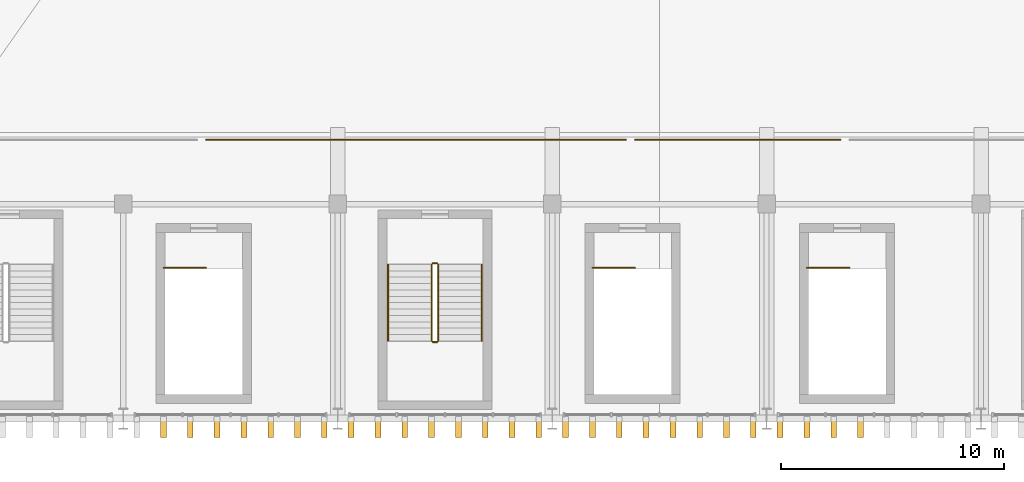
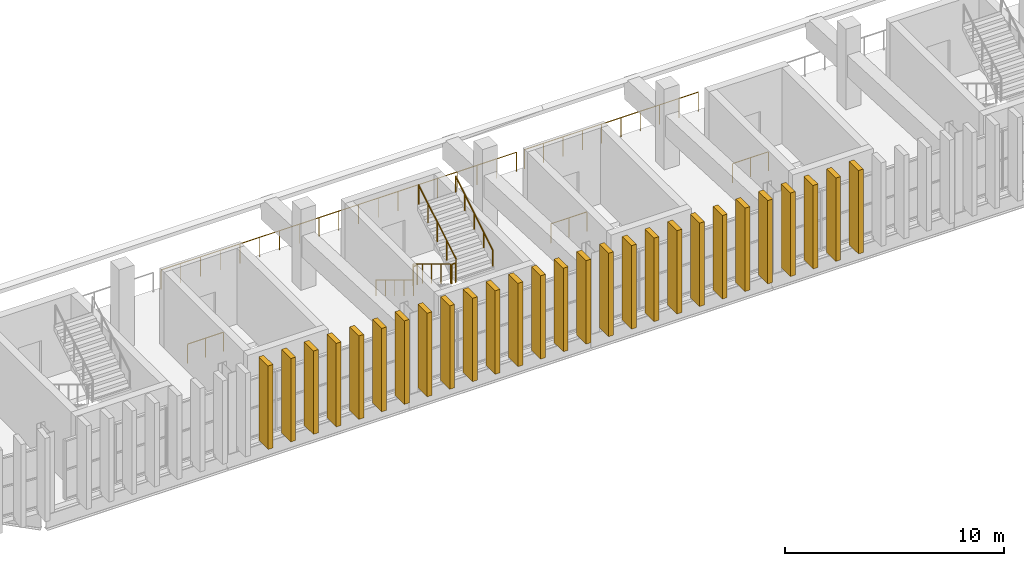
# One storey, part 56 of 69: 27 coverings, 11 railings.
"""IFC4 building model written with IfcOpenShell, lengths in metres."""

from ifc_helpers import new_model, si_unit, direction, frame, origin, origin_2d, place, context, subcontext, project, spatial, rectangle, circle, extrude, material, material_profile, profile_set, type_object, element, save


model = new_model("IFC4")

# Units and contexts
model_context = context("Model", 3, precision=1e-05, world=origin(), true_north=direction((0.0, 1.0)))
body_context = subcontext(model_context, "Body", "Model", "MODEL_VIEW")
ifc_project = project(units=[si_unit("LENGTHUNIT", "METRE"), si_unit("AREAUNIT", "SQUARE_METRE"), si_unit("VOLUMEUNIT", "CUBIC_METRE"), si_unit("PLANEANGLEUNIT", "RADIAN"), si_unit("MASSUNIT", "GRAM", prefix="KILO")], contexts=[model_context])

# Site, building, storey
site_placement = place(None, origin())
site = spatial("IfcSite", under=ifc_project, at=site_placement, CompositionType="ELEMENT")
building_placement = place(site_placement, origin())
building = spatial("IfcBuilding", under=site, at=building_placement, Name="Caelomonte Colonnade Arena", CompositionType="ELEMENT")
storey_placement = place(building_placement, frame((0.0, 0.0, 18.60009765625)))
storey = spatial("IfcBuildingStorey", under=building, at=storey_placement, Name="L04", CompositionType="ELEMENT", Elevation=18.60009765625)

# Coverings
ifc_material_1 = material(Name="Precast travertine cladding", Category="masonry")
ifc_material_profile = material_profile(ifc_material_1, rectangle(XDim=0.260009765625, YDim=0.85009765625, at=origin_2d()), Name="FIN260X850")
ifc_profile_set = profile_set([ifc_material_profile], Name="Precast travertine cladding")
covering_type = type_object("IfcCoveringType", Name="ENV-FN-SHAFT", PredefinedType="CLADDING", material=ifc_profile_set)
for number, where, z_axis, x_axis, name in (
    (1, (88.199951171875, 18.779052734375, -0.16015625), (0.0, 0.0, 1.0), (-1.0, 0.0, 0.0), "V1 L04 classical travertine vertical fin 247"),
    (2, (89.39990234375, 18.779052734375, -0.16015625), (0.0, 0.0, 1.0), (-1.0, 0.0, 0.0), "V1 L04 classical travertine vertical fin 248"),
    (3, (90.60009765625, 18.779052734375, -0.16015625), (0.0, 0.0, 1.0), (-1.0, 0.0, 0.0), "V1 L04 classical travertine vertical fin 249"),
    (4, (91.800048828125, 18.779052734375, -0.16015625), (0.0, 0.0, 1.0), (-1.0, 0.0, 0.0), "V1 L04 classical travertine vertical fin 250"),
    (5, (93.0, 18.779052734375, -0.16015625), (0.0, 0.0, 1.0), (-1.0, 0.0, 0.0), "V1 L04 classical travertine vertical fin 251"),
    (6, (94.199951171875, 18.779052734375, -0.16015625), (0.0, 0.0, 1.0), (-1.0, 0.0, 0.0), "V1 L04 classical travertine vertical fin 252"),
    (7, (95.39990234375, 18.779052734375, -0.16015625), (0.0, 0.0, 1.0), (-1.0, 0.0, 0.0), "V1 L04 classical travertine vertical fin 253"),
    (8, (96.60009765625, 18.779052734375, -0.16015625), (0.0, 0.0, 1.0), (-1.0, 0.0, 0.0), "V1 L04 classical travertine vertical fin 254"),
    (9, (97.800048828125, 18.779052734375, -0.16015625), (0.0, 0.0, 1.0), (-1.0, 0.0, 0.0), "V1 L04 classical travertine vertical fin 255"),
    (10, (99.0, 18.779052734375, -0.16015625), (0.0, 0.0, 1.0), (-1.0, 0.0, 0.0), "V1 L04 classical travertine vertical fin 256"),
    (11, (100.199951171875, 18.779052734375, -0.16015625), (0.0, 0.0, 1.0), (-1.0, 0.0, 0.0), "V1 L04 classical travertine vertical fin 257"),
    (12, (101.39990234375, 18.779052734375, -0.16015625), (0.0, 0.0, 1.0), (-1.0, 0.0, 0.0), "V1 L04 classical travertine vertical fin 258"),
    (13, (102.60009765625, 18.779052734375, -0.16015625), (0.0, 0.0, 1.0), (-1.0, 0.0, 0.0), "V1 L04 classical travertine vertical fin 259"),
    (14, (103.800048828125, 18.779052734375, -0.16015625), (0.0, 0.0, 1.0), (-1.0, 0.0, 0.0), "V1 L04 classical travertine vertical fin 260"),
    (15, (105.0, 18.779052734375, -0.16015625), (0.0, 0.0, 1.0), (-1.0, 0.0, 0.0), "V1 L04 classical travertine vertical fin 261"),
    (16, (106.199951171875, 18.779052734375, -0.16015625), (0.0, 0.0, 1.0), (-1.0, 0.0, 0.0), "V1 L04 classical travertine vertical fin 262"),
    (17, (107.39990234375, 18.779052734375, -0.16015625), (0.0, 0.0, 1.0), (-1.0, 0.0, 0.0), "V1 L04 classical travertine vertical fin 263"),
    (18, (108.60009765625, 18.779052734375, -0.16015625), (0.0, 0.0, 1.0), (-1.0, 0.0, 0.0), "V1 L04 classical travertine vertical fin 264"),
    (19, (109.800048828125, 18.779052734375, -0.16015625), (0.0, 0.0, 1.0), (-1.0, 0.0, 0.0), "V1 L04 classical travertine vertical fin 265"),
    (20, (111.0, 18.779052734375, -0.16015625), (0.0, 0.0, 1.0), (-1.0, 0.0, 0.0), "V1 L04 classical travertine vertical fin 266"),
    (21, (112.199951171875, 18.779052734375, -0.16015625), (0.0, 0.0, 1.0), (-1.0, 0.0, 0.0), "V1 L04 classical travertine vertical fin 267"),
    (22, (113.39990234375, 18.779052734375, -0.16015625), (0.0, 0.0, 1.0), (-1.0, 0.0, 0.0), "V1 L04 classical travertine vertical fin 268"),
    (23, (114.60009765625, 18.779052734375, -0.16015625), (0.0, 0.0, 1.0), (-1.0, 0.0, 0.0), "V1 L04 classical travertine vertical fin 269"),
    (24, (115.800048828125, 18.779052734375, -0.16015625), (0.0, 0.0, 1.0), (-1.0, 0.0, 0.0), "V1 L04 classical travertine vertical fin 270"),
    (25, (117.0, 18.779052734375, -0.16015625), (0.0, 0.0, 1.0), (-1.0, 0.0, 0.0), "V1 L04 classical travertine vertical fin 271"),
    (26, (118.199951171875, 18.779052734375, -0.16015625), (0.0, 0.0, 1.0), (-1.0, 0.0, 0.0), "V1 L04 classical travertine vertical fin 272"),
    (27, (119.39990234375, 18.779052734375, -0.16015625), (0.0, 0.0, 1.0), (-1.0, 0.0, 0.0), "V1 L04 classical travertine vertical fin 273"),
):
    element("IfcCovering", number, at=place(storey_placement, frame(where, z_axis=z_axis, x_axis=x_axis)), inside=storey, type_object=covering_type, Name=name, PredefinedType="CLADDING", context=body_context, shape_type="SweptSolid", body=[
        extrude(rectangle(XDim=0.260009765625, YDim=0.85009765625, at=origin_2d()), origin(), (0.0, 0.0, 1.0), 4.66015625),
    ])

# Railings
ifc_material_2 = material(Name="Painted galvanized steel handrail and posts", Category="steel")
railing_type_1 = type_object("IfcRailingType", Name="ENV-RL-GRD1", PredefinedType="GUARDRAIL", material=ifc_material_2)
railing_1_placement = place(storey_placement, frame((90.10693359375, 31.679931640625, 0.0)))
element("IfcRailing", 28, at=railing_1_placement, inside=storey, type_object=railing_type_1, Name="L04 upper concourse bowl guard 6", PredefinedType="GUARDRAIL", context=body_context, shape_type="SweptSolid", body=[
    extrude(circle(Radius=0.02392578125, at=origin_2d()), frame((0.0, 0.0, 1.076171875), z_axis=(1.0, 0.0, 0.0), x_axis=(0.0, 1.0, 0.0)), (0.0, 0.0, 1.0), 18.7861328125),
    extrude(circle(Radius=0.02099609375, at=origin_2d()), origin(), (0.0, 0.0, 1.0), 1.048095703125),
    extrude(circle(Radius=0.02099609375, at=origin_2d()), frame((1.043701171875, 0.0, 0.0)), (0.0, 0.0, 1.0), 1.048095703125),
    extrude(circle(Radius=0.02099609375, at=origin_2d()), frame((2.08740234375, 0.0, 0.0)), (0.0, 0.0, 1.0), 1.048095703125),
    extrude(circle(Radius=0.02099609375, at=origin_2d()), frame((3.131103515625, 0.0, 0.0)), (0.0, 0.0, 1.0), 1.048095703125),
    extrude(circle(Radius=0.02099609375, at=origin_2d()), frame((4.1748046875, 0.0, 0.0)), (0.0, 0.0, 1.0), 1.048095703125),
    extrude(circle(Radius=0.02099609375, at=origin_2d()), frame((5.21826171875, 0.0, 0.0)), (0.0, 0.0, 1.0), 1.048095703125),
    extrude(circle(Radius=0.02099609375, at=origin_2d()), frame((6.261962890625, 0.0, 0.0)), (0.0, 0.0, 1.0), 1.048095703125),
    extrude(circle(Radius=0.02099609375, at=origin_2d()), frame((7.3056640625, 0.0, 0.0)), (0.0, 0.0, 1.0), 1.048095703125),
    extrude(circle(Radius=0.02099609375, at=origin_2d()), frame((8.349365234375, 0.0, 0.0)), (0.0, 0.0, 1.0), 1.048095703125),
    extrude(circle(Radius=0.02099609375, at=origin_2d()), frame((9.39306640625, 0.0, 0.0)), (0.0, 0.0, 1.0), 1.048095703125),
    extrude(circle(Radius=0.02099609375, at=origin_2d()), frame((10.436767578125, 0.0, 0.0)), (0.0, 0.0, 1.0), 1.048095703125),
    extrude(circle(Radius=0.02099609375, at=origin_2d()), frame((11.48046875, 0.0, 0.0)), (0.0, 0.0, 1.0), 1.048095703125),
    extrude(circle(Radius=0.02099609375, at=origin_2d()), frame((12.524169921875, 0.0, 0.0)), (0.0, 0.0, 1.0), 1.048095703125),
    extrude(circle(Radius=0.02099609375, at=origin_2d()), frame((13.56787109375, 0.0, 0.0)), (0.0, 0.0, 1.0), 1.048095703125),
    extrude(circle(Radius=0.02099609375, at=origin_2d()), frame((14.611328125, 0.0, 0.0)), (0.0, 0.0, 1.0), 1.048095703125),
    extrude(circle(Radius=0.02099609375, at=origin_2d()), frame((15.655029296875, 0.0, 0.0)), (0.0, 0.0, 1.0), 1.048095703125),
    extrude(circle(Radius=0.02099609375, at=origin_2d()), frame((16.69873046875, 0.0, 0.0)), (0.0, 0.0, 1.0), 1.048095703125),
    extrude(circle(Radius=0.02099609375, at=origin_2d()), frame((17.742431640625, 0.0, 0.0)), (0.0, 0.0, 1.0), 1.048095703125),
    extrude(circle(Radius=0.02099609375, at=origin_2d()), frame((18.7861328125, 0.0, 0.0)), (0.0, 0.0, 1.0), 1.048095703125),
])
railing_2_placement = place(storey_placement, frame((109.306884765625, 31.679931640625, 0.0)))
element("IfcRailing", 29, at=railing_2_placement, inside=storey, type_object=railing_type_1, Name="L04 upper concourse bowl guard 7", PredefinedType="GUARDRAIL", context=body_context, shape_type="SweptSolid", body=[
    extrude(circle(Radius=0.02392578125, at=origin_2d()), frame((0.0, 0.0, 1.076171875), z_axis=(1.0, 0.0, 0.0), x_axis=(0.0, 1.0, 0.0)), (0.0, 0.0, 1.0), 9.186279296875),
    extrude(circle(Radius=0.02099609375, at=origin_2d()), origin(), (0.0, 0.0, 1.0), 1.048095703125),
    extrude(circle(Radius=0.02099609375, at=origin_2d()), frame((1.020751953125, 0.0, 0.0)), (0.0, 0.0, 1.0), 1.048095703125),
    extrude(circle(Radius=0.02099609375, at=origin_2d()), frame((2.04150390625, 0.0, 0.0)), (0.0, 0.0, 1.0), 1.048095703125),
    extrude(circle(Radius=0.02099609375, at=origin_2d()), frame((3.06201171875, 0.0, 0.0)), (0.0, 0.0, 1.0), 1.048095703125),
    extrude(circle(Radius=0.02099609375, at=origin_2d()), frame((4.082763671875, 0.0, 0.0)), (0.0, 0.0, 1.0), 1.048095703125),
    extrude(circle(Radius=0.02099609375, at=origin_2d()), frame((5.103515625, 0.0, 0.0)), (0.0, 0.0, 1.0), 1.048095703125),
    extrude(circle(Radius=0.02099609375, at=origin_2d()), frame((6.124267578125, 0.0, 0.0)), (0.0, 0.0, 1.0), 1.048095703125),
    extrude(circle(Radius=0.02099609375, at=origin_2d()), frame((7.144775390625, 0.0, 0.0)), (0.0, 0.0, 1.0), 1.048095703125),
    extrude(circle(Radius=0.02099609375, at=origin_2d()), frame((8.16552734375, 0.0, 0.0)), (0.0, 0.0, 1.0), 1.048095703125),
    extrude(circle(Radius=0.02099609375, at=origin_2d()), frame((9.186279296875, 0.0, 0.0)), (0.0, 0.0, 1.0), 1.048095703125),
])
ifc_material_3 = material(Name="Painted galvanized steel stair guard", Category="steel")
railing_type_2 = type_object("IfcRailingType", Name="INT-RL-GRD", PredefinedType="GUARDRAIL", material=ifc_material_3)
railing_3_placement = place(storey_placement, frame((100.199951171875, 26.10009765625, 0.173095703125)))
element("IfcRailing", 30, at=railing_3_placement, inside=storey, type_object=railing_type_2, Name="L04 ST-12 stair guard 1", PredefinedType="GUARDRAIL", context=body_context, shape_type="SweptSolid", body=[
    extrude(circle(Radius=0.02392578125, at=origin_2d()), frame((0.0, 0.0, 1.076171875), z_axis=(0.0, -0.854745945586, 0.519046595696), x_axis=(1.0, 0.0, 0.0)), (0.0, 0.0, 1.0), 4.00146484375),
    extrude(circle(Radius=0.02099609375, at=origin_2d()), origin(), (0.0, 0.0, 1.0), 1.048095703125),
    extrude(circle(Radius=0.02099609375, at=origin_2d()), frame((0.0, -0.85498046875, 0.519287109375)), (0.0, 0.0, 1.0), 1.048095703125),
    extrude(circle(Radius=0.02099609375, at=origin_2d()), frame((0.0, -1.7099609375, 1.03857421875)), (0.0, 0.0, 1.0), 1.048095703125),
    extrude(circle(Radius=0.02099609375, at=origin_2d()), frame((0.0, -2.565185546875, 1.5576171875)), (0.0, 0.0, 1.0), 1.048095703125),
    extrude(circle(Radius=0.02099609375, at=origin_2d()), frame((0.0, -3.420166015625, 2.076904296875)), (0.0, 0.0, 1.0), 1.048095703125),
])
railing_4_placement = place(storey_placement, frame((100.25, 22.6298828125, 2.25)))
element("IfcRailing", 31, at=railing_4_placement, inside=storey, type_object=railing_type_2, Name="L04 ST-12 stair guard 2", PredefinedType="GUARDRAIL", context=body_context, shape_type="SweptSolid", body=[
    extrude(circle(Radius=0.02392578125, at=origin_2d()), frame((0.0, 0.0, 1.076171875), z_axis=(1.0, 0.0, 0.0), x_axis=(0.0, 1.0, 0.0)), (0.0, 0.0, 1.0), 0.199951171875),
    extrude(circle(Radius=0.02099609375, at=origin_2d()), origin(), (0.0, 0.0, 1.0), 1.048095703125),
    extrude(circle(Radius=0.02099609375, at=origin_2d()), frame((0.199951171875, 0.0, 0.0)), (0.0, 0.0, 1.0), 1.048095703125),
])
railing_5_placement = place(storey_placement, frame((100.5, 22.679931640625, 2.423095703125)))
element("IfcRailing", 32, at=railing_5_placement, inside=storey, type_object=railing_type_2, Name="L04 ST-12 stair guard 3", PredefinedType="GUARDRAIL", context=body_context, shape_type="SweptSolid", body=[
    extrude(circle(Radius=0.02392578125, at=origin_2d()), frame((0.0, 0.0, 1.076171875), z_axis=(0.0, 0.854745945586, 0.519046595696), x_axis=(-1.0, 0.0, 0.0)), (0.0, 0.0, 1.0), 4.00146484375),
    extrude(circle(Radius=0.02099609375, at=origin_2d()), origin(), (0.0, 0.0, 1.0), 1.048095703125),
    extrude(circle(Radius=0.02099609375, at=origin_2d()), frame((0.0, 0.85498046875, 0.519287109375)), (0.0, 0.0, 1.0), 1.048095703125),
    extrude(circle(Radius=0.02099609375, at=origin_2d()), frame((0.0, 1.7099609375, 1.03857421875)), (0.0, 0.0, 1.0), 1.048095703125),
    extrude(circle(Radius=0.02099609375, at=origin_2d()), frame((0.0, 2.565185546875, 1.5576171875)), (0.0, 0.0, 1.0), 1.048095703125),
    extrude(circle(Radius=0.02099609375, at=origin_2d()), frame((0.0, 3.420166015625, 2.076904296875)), (0.0, 0.0, 1.0), 1.048095703125),
])
railing_6_placement = place(storey_placement, frame((100.25, 26.14990234375, 0.0)))
element("IfcRailing", 33, at=railing_6_placement, inside=storey, type_object=railing_type_2, Name="L04 ST-12 stair guard 4", PredefinedType="GUARDRAIL", context=body_context, shape_type="SweptSolid", body=[
    extrude(circle(Radius=0.02392578125, at=origin_2d()), frame((0.0, 0.0, 1.076171875), z_axis=(1.0, 0.0, 0.0), x_axis=(0.0, 1.0, 0.0)), (0.0, 0.0, 1.0), 0.199951171875),
    extrude(circle(Radius=0.02099609375, at=origin_2d()), origin(), (0.0, 0.0, 1.0), 1.048095703125),
    extrude(circle(Radius=0.02099609375, at=origin_2d()), frame((0.199951171875, 0.0, 0.0)), (0.0, 0.0, 1.0), 1.048095703125),
])
for number, where, name in (
    (34, (88.199951171875, 25.949951171875, 0.0), "L04 ST-V09 top well guard 1"),
    (35, (107.39990234375, 25.949951171875, 0.0), "L04 ST-V10 top well guard 1"),
):
    element("IfcRailing", number, at=place(storey_placement, frame(where)), inside=storey, type_object=railing_type_2, Name=name, PredefinedType="GUARDRAIL", context=body_context, shape_type="SweptSolid", body=[
        extrude(circle(Radius=0.02392578125, at=origin_2d()), frame((0.0, 0.0, 1.076171875), z_axis=(1.0, 0.0, 0.0), x_axis=(0.0, 1.0, 0.0)), (0.0, 0.0, 1.0), 1.900146484375),
        extrude(circle(Radius=0.02099609375, at=origin_2d()), origin(), (0.0, 0.0, 1.0), 1.048095703125),
        extrude(circle(Radius=0.02099609375, at=origin_2d()), frame((0.9501953125, 0.0, 0.0)), (0.0, 0.0, 1.0), 1.048095703125),
        extrude(circle(Radius=0.02099609375, at=origin_2d()), frame((1.900146484375, 0.0, 0.0)), (0.0, 0.0, 1.0), 1.048095703125),
    ])
railing_7_placement = place(storey_placement, frame((117.0, 25.949951171875, 0.0)))
element("IfcRailing", 36, at=railing_7_placement, inside=storey, type_object=railing_type_2, Name="L04 ST-V11 top well guard 1", PredefinedType="GUARDRAIL", context=body_context, shape_type="SweptSolid", body=[
    extrude(circle(Radius=0.02392578125, at=origin_2d()), frame((0.0, 0.0, 1.076171875), z_axis=(1.0, 0.0, 0.0), x_axis=(0.0, 1.0, 0.0)), (0.0, 0.0, 1.0), 1.89990234375),
    extrude(circle(Radius=0.02099609375, at=origin_2d()), origin(), (0.0, 0.0, 1.0), 1.048095703125),
    extrude(circle(Radius=0.02099609375, at=origin_2d()), frame((0.949951171875, 0.0, 0.0)), (0.0, 0.0, 1.0), 1.048095703125),
    extrude(circle(Radius=0.02099609375, at=origin_2d()), frame((1.89990234375, 0.0, 0.0)), (0.0, 0.0, 1.0), 1.048095703125),
])
ifc_material_4 = material(Name="Brushed stainless steel stair handrail", Category="steel")
railing_type_3 = type_object("IfcRailingType", Name="INT-RL-HR", PredefinedType="HANDRAIL", material=ifc_material_4)
railing_8_placement = place(storey_placement, frame((98.25, 26.10009765625, 0.173095703125)))
element("IfcRailing", 37, at=railing_8_placement, inside=storey, type_object=railing_type_3, Name="L04 ST-12 stair handrail 1", PredefinedType="HANDRAIL", context=body_context, shape_type="SweptSolid", body=[
    extrude(circle(Radius=0.02392578125, at=origin_2d()), frame((0.0, 0.0, 0.8759765625), z_axis=(0.0, -0.854745945586, 0.519046595696), x_axis=(1.0, 0.0, 0.0)), (0.0, 0.0, 1.0), 4.00146484375),
    extrude(circle(Radius=0.02099609375, at=origin_2d()), origin(), (0.0, 0.0, 1.0), 0.847900390625),
    extrude(circle(Radius=0.02099609375, at=origin_2d()), frame((0.0, -0.85498046875, 0.519287109375)), (0.0, 0.0, 1.0), 0.847900390625),
    extrude(circle(Radius=0.02099609375, at=origin_2d()), frame((0.0, -1.7099609375, 1.03857421875)), (0.0, 0.0, 1.0), 0.847900390625),
    extrude(circle(Radius=0.02099609375, at=origin_2d()), frame((0.0, -2.565185546875, 1.5576171875)), (0.0, 0.0, 1.0), 0.847900390625),
    extrude(circle(Radius=0.02099609375, at=origin_2d()), frame((0.0, -3.420166015625, 2.076904296875)), (0.0, 0.0, 1.0), 0.847900390625),
])
railing_9_placement = place(storey_placement, frame((102.449951171875, 22.679931640625, 2.423095703125)))
element("IfcRailing", 38, at=railing_9_placement, inside=storey, type_object=railing_type_3, Name="L04 ST-12 stair handrail 2", PredefinedType="HANDRAIL", context=body_context, shape_type="SweptSolid", body=[
    extrude(circle(Radius=0.02392578125, at=origin_2d()), frame((0.0, 0.0, 0.8759765625), z_axis=(0.0, 0.854745945586, 0.519046595696), x_axis=(-1.0, 0.0, 0.0)), (0.0, 0.0, 1.0), 4.00146484375),
    extrude(circle(Radius=0.02099609375, at=origin_2d()), origin(), (0.0, 0.0, 1.0), 0.847900390625),
    extrude(circle(Radius=0.02099609375, at=origin_2d()), frame((0.0, 0.85498046875, 0.519287109375)), (0.0, 0.0, 1.0), 0.847900390625),
    extrude(circle(Radius=0.02099609375, at=origin_2d()), frame((0.0, 1.7099609375, 1.03857421875)), (0.0, 0.0, 1.0), 0.847900390625),
    extrude(circle(Radius=0.02099609375, at=origin_2d()), frame((0.0, 2.565185546875, 1.5576171875)), (0.0, 0.0, 1.0), 0.847900390625),
    extrude(circle(Radius=0.02099609375, at=origin_2d()), frame((0.0, 3.420166015625, 2.076904296875)), (0.0, 0.0, 1.0), 0.847900390625),
])

save(model, "model.ifc")
